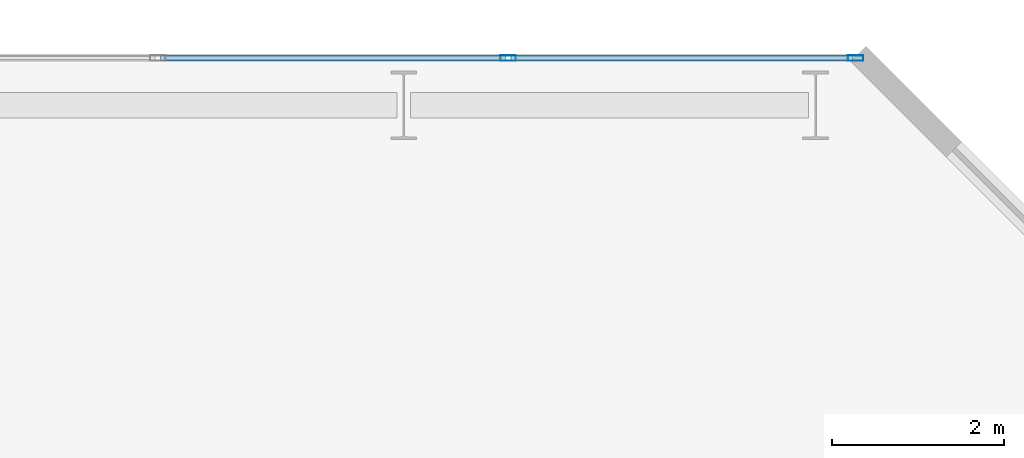
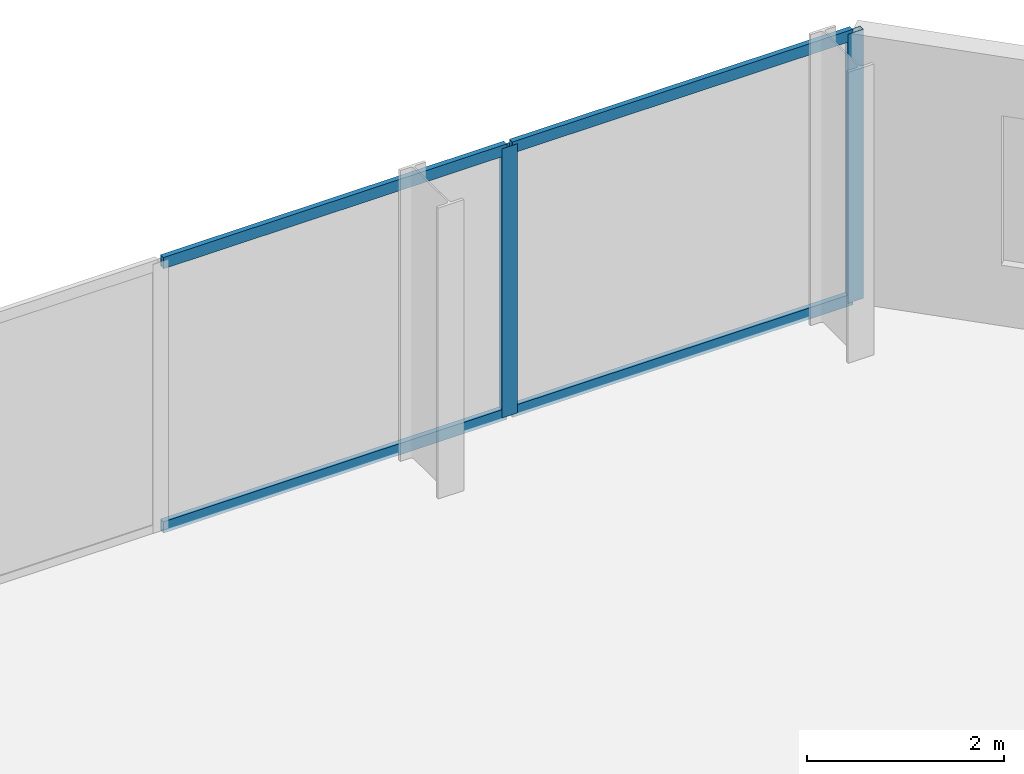
# One storey, part 27 of 33: 6 members, 1 element without a shape of its own.
"""IFC4 building model written with IfcOpenShell, lengths in metres."""

from ifc_helpers import new_model, si_unit, direction, frame, origin, origin_2d, place, context, subcontext, project, spatial, hollow_rectangle, extrude, material, layer, layer_set, material_profile, profile_set, type_object, element, aggregate, save


model = new_model("IFC4")

# Units and contexts
model_context = context("Model", 3, precision=1e-05, world=origin(), true_north=direction((0.0, 1.0)))
body_context = subcontext(model_context, "Body", "Model", "MODEL_VIEW")
ifc_project = project(units=[si_unit("LENGTHUNIT", "METRE"), si_unit("AREAUNIT", "SQUARE_METRE"), si_unit("VOLUMEUNIT", "CUBIC_METRE"), si_unit("PLANEANGLEUNIT", "RADIAN"), si_unit("MASSUNIT", "GRAM", prefix="KILO")], contexts=[model_context])

# Site, building, storey
site_placement = place(None, origin())
site = spatial("IfcSite", under=ifc_project, at=site_placement, CompositionType="ELEMENT")
building_placement = place(site_placement, origin())
building = spatial("IfcBuilding", under=site, at=building_placement, Name="Catumbela Crestline Tower", CompositionType="ELEMENT")
storey_placement = place(building_placement, frame((0.0, 0.0, 58.2)))
storey = spatial("IfcBuildingStorey", under=building, at=storey_placement, Name="L14", CompositionType="ELEMENT", Elevation=58.2)

# Curtain wall, members
ifc_material = material(Name="Aluminium alloy AW-6060-T66", Category="aluminium")
ifc_layer = layer(ifc_material, 0.18, Name="Aluminium alloy AW-6060-T66")
ifc_layer_set = layer_set([ifc_layer], Name="Aluminium alloy AW-6060-T66")
curtain_wall_type = type_object("IfcCurtainWallType", Name="CWU-Z1", PredefinedType="USERDEFINED", material=ifc_layer_set)
curtain_wall_placement = place(storey_placement, origin())
curtain_wall = element("IfcCurtainWall", 1, at=curtain_wall_placement, inside=storey, type_object=curtain_wall_type, Name="L14 Unitised Curtain Wall CW-L14-E7S1", ObjectType="UNITISED", PredefinedType="USERDEFINED")
ifc_material_profile_1 = material_profile(ifc_material, hollow_rectangle(XDim=0.065, YDim=0.18, WallThickness=0.004, at=origin_2d()), Name="ALU 180x65x4")
ifc_profile_set_1 = profile_set([ifc_material_profile_1], Name="Aluminium alloy AW-6060-T66")
member_type_1 = type_object("IfcMemberType", Name="MUL-180X65", PredefinedType="MULLION", material=ifc_profile_set_1)
member_1_placement = place(storey_placement, frame((52.4675, 47.95, 0.0), z_axis=(0.0, 0.0, 1.0), x_axis=(0.0, -1.0, 0.0)))
member_1 = element("IfcMember", 2, at=member_1_placement, type_object=member_type_1, Name="CWU-Z1 mullion 1", PredefinedType="MULLION", context=body_context, shape_type="SweptSolid", body=[
    extrude(hollow_rectangle(XDim=0.065, YDim=0.18, WallThickness=0.004, at=origin_2d()), origin(), (0.0, 0.0, 1.0), 3.33),
])
member_2_placement = place(storey_placement, frame((48.4167, 47.95, 0.0), z_axis=(0.0, 0.0, 1.0), x_axis=(0.0, -1.0, 0.0)))
member_2 = element("IfcMember", 3, at=member_2_placement, type_object=member_type_1, Name="CWU-Z1 mullion 2", PredefinedType="MULLION", context=body_context, shape_type="SweptSolid", body=[
    extrude(hollow_rectangle(XDim=0.065, YDim=0.18, WallThickness=0.004, at=origin_2d()), origin(), (0.0, 0.0, 1.0), 3.33),
])
ifc_material_profile_2 = material_profile(ifc_material, hollow_rectangle(XDim=0.06, YDim=0.14, WallThickness=0.004, at=origin_2d()), Name="ALU 140x60x4")
ifc_profile_set_2 = profile_set([ifc_material_profile_2], Name="Aluminium alloy AW-6060-T66")
member_type_2 = type_object("IfcMemberType", Name="TRN-140X60", PredefinedType="USERDEFINED", material=ifc_profile_set_2)
member_3_placement = place(storey_placement, frame((52.435, 47.95, 0.03), z_axis=(-1.0, 0.0, 0.0), x_axis=(0.0, -1.0, 0.0)))
member_3 = element("IfcMember", 4, at=member_3_placement, type_object=member_type_2, Name="CWU-Z1 transom 1.1", ObjectType="TRANSOM", PredefinedType="USERDEFINED", context=body_context, shape_type="SweptSolid", body=[
    extrude(hollow_rectangle(XDim=0.06, YDim=0.14, WallThickness=0.004, at=origin_2d()), origin(), (0.0, 0.0, 1.0), 3.9858),
])
member_4_placement = place(storey_placement, frame((52.435, 47.95, 3.3), z_axis=(-1.0, 0.0, 0.0), x_axis=(0.0, -1.0, 0.0)))
member_4 = element("IfcMember", 5, at=member_4_placement, type_object=member_type_2, Name="CWU-Z1 transom 1.2", ObjectType="TRANSOM", PredefinedType="USERDEFINED", context=body_context, shape_type="SweptSolid", body=[
    extrude(hollow_rectangle(XDim=0.06, YDim=0.14, WallThickness=0.004, at=origin_2d()), origin(), (0.0, 0.0, 1.0), 3.9858),
])
member_5_placement = place(storey_placement, frame((48.3842, 47.95, 0.03), z_axis=(-1.0, 0.0, 0.0), x_axis=(0.0, -1.0, 0.0)))
member_5 = element("IfcMember", 6, at=member_5_placement, type_object=member_type_2, Name="CWU-Z1 transom 2.1", ObjectType="TRANSOM", PredefinedType="USERDEFINED", context=body_context, shape_type="SweptSolid", body=[
    extrude(hollow_rectangle(XDim=0.06, YDim=0.14, WallThickness=0.004, at=origin_2d()), origin(), (0.0, 0.0, 1.0), 4.0184),
])
member_6_placement = place(storey_placement, frame((48.3842, 47.95, 3.3), z_axis=(-1.0, 0.0, 0.0), x_axis=(0.0, -1.0, 0.0)))
member_6 = element("IfcMember", 7, at=member_6_placement, type_object=member_type_2, Name="CWU-Z1 transom 2.2", ObjectType="TRANSOM", PredefinedType="USERDEFINED", context=body_context, shape_type="SweptSolid", body=[
    extrude(hollow_rectangle(XDim=0.06, YDim=0.14, WallThickness=0.004, at=origin_2d()), origin(), (0.0, 0.0, 1.0), 4.0184),
])
aggregate(curtain_wall, [member_1, member_2, member_3, member_4, member_5, member_6])

save(model, "model.ifc")
